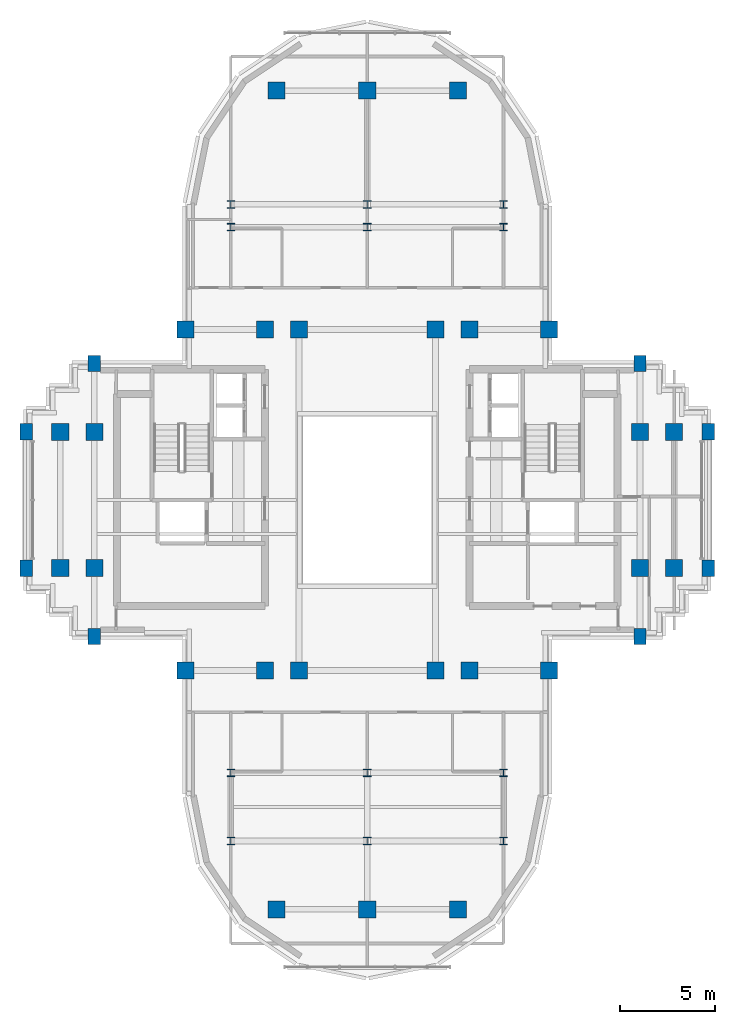
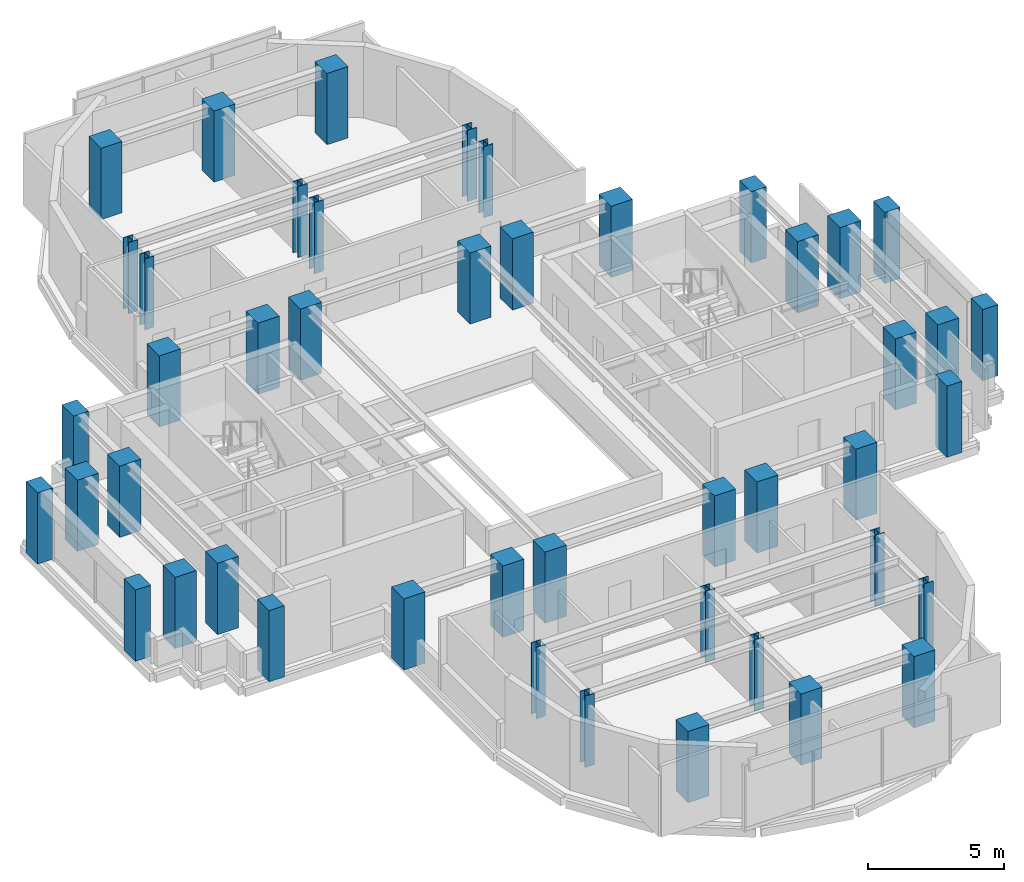
# One storey, part 1 of 11: 46 columns.
"""IFC4 building model written with IfcOpenShell, lengths in metres."""

from ifc_helpers import new_model, si_unit, direction, frame, origin, origin_2d, place, context, subcontext, project, spatial, rectangle, i_section, extrude, source, transform, mapped, material, material_profile, profile_set, type_object, element, save


model = new_model("IFC4")

# Units and contexts
model_context = context("Model", 3, precision=1e-05, world=origin(), true_north=direction((0.0, 1.0)))
body_context = subcontext(model_context, "Body", "Model", "MODEL_VIEW")
ifc_project = project(units=[si_unit("LENGTHUNIT", "METRE"), si_unit("AREAUNIT", "SQUARE_METRE"), si_unit("VOLUMEUNIT", "CUBIC_METRE"), si_unit("PLANEANGLEUNIT", "RADIAN"), si_unit("MASSUNIT", "GRAM", prefix="KILO")], contexts=[model_context])

# Site, building, storey
site_placement = place(None, origin())
site = spatial("IfcSite", under=ifc_project, at=site_placement, CompositionType="ELEMENT")
building_placement = place(site_placement, origin())
building = spatial("IfcBuilding", under=site, at=building_placement, Name="Keilestroom Media Tower", CompositionType="ELEMENT")
storey_placement = place(building_placement, frame((0.0, 0.0, 201.199951171875)))
storey = spatial("IfcBuildingStorey", under=building, at=storey_placement, Name="L55", CompositionType="ELEMENT", Elevation=201.199951171875)

# Columns
ifc_material_1 = material(Name="Precast concrete C40/50", Category="concrete")
ifc_material_profile_1 = material_profile(ifc_material_1, rectangle(XDim=0.64990234375, YDim=0.85009765625, at=origin_2d()), Name="PC 850x650")
ifc_profile_set_1 = profile_set([ifc_material_profile_1], Name="Precast concrete C40/50")
column_type_1 = type_object("IfcColumnType", Name="Structural-Column-PC-850x650", PredefinedType="COLUMN", material=ifc_profile_set_1)
shared_shape_1 = source(origin(), body_context, "Body", "SweptSolid", [
    extrude(rectangle(XDim=0.64990234375, YDim=0.85009765625, at=origin_2d()), origin(), (0.0, 0.0, 1.0), 3.199951171875),
])
for number, where, z_axis, x_axis, name in (
    (1, (-18.0, -3.60009765625, 0.0), (0.0, 0.0, 1.0), (1.0, 0.0, 0.0), "L55 Column PC-2 (-18.0,-3.6)"),
    (2, (-18.0, 3.60009765625, 0.0), (0.0, 0.0, 1.0), (1.0, 0.0, 0.0), "L55 Column PC-2 (-18.0,+3.6)"),
    (3, (-14.39990234375, -7.199951171875, 0.0), (0.0, 0.0, 1.0), (1.0, 0.0, 0.0), "L55 Column PC-2 (-14.4,-7.2)"),
    (4, (-14.39990234375, 7.199951171875, 0.0), (0.0, 0.0, 1.0), (1.0, 0.0, 0.0), "L55 Column PC-2 (-14.4,+7.2)"),
    (5, (14.39990234375, -7.199951171875, 0.0), (0.0, 0.0, 1.0), (1.0, 0.0, 0.0), "L55 Column PC-2 (+14.4,-7.2)"),
    (6, (14.39990234375, 7.199951171875, 0.0), (0.0, 0.0, 1.0), (1.0, 0.0, 0.0), "L55 Column PC-2 (+14.4,+7.2)"),
    (7, (18.0, -3.60009765625, 0.0), (0.0, 0.0, 1.0), (1.0, 0.0, 0.0), "L55 Column PC-2 (+18.0,-3.6)"),
    (8, (18.0, 3.60009765625, 0.0), (0.0, 0.0, 1.0), (1.0, 0.0, 0.0), "L55 Column PC-2 (+18.0,+3.6)"),
):
    element("IfcColumn", number, at=place(storey_placement, frame(where, z_axis=z_axis, x_axis=x_axis)), inside=storey, type_object=column_type_1, Name=name, PredefinedType="COLUMN", context=body_context, shape_type="MappedRepresentation", body=[
        mapped(shared_shape_1, transform((0.0, 0.0, 0.0), x_axis=(1.0, 0.0, 0.0), y_axis=(0.0, 1.0, 0.0), z_axis=(0.0, 0.0, 1.0), scale=1.0)),
    ])
ifc_material_2 = material(Name="Concrete C55/67", Category="concrete")
ifc_material_profile_2 = material_profile(ifc_material_2, rectangle(XDim=0.89990234375, YDim=0.89990234375, at=origin_2d()), Name="RC 900x900")
ifc_profile_set_2 = profile_set([ifc_material_profile_2], Name="Concrete C55/67")
column_type_2 = type_object("IfcColumnType", Name="Structural-Column-RC-900x900", PredefinedType="COLUMN", material=ifc_profile_set_2)
shared_shape_2 = source(origin(), body_context, "Body", "SweptSolid", [
    extrude(rectangle(XDim=0.89990234375, YDim=0.89990234375, at=origin_2d()), origin(), (0.0, 0.0, 1.0), 3.199951171875),
])
for number, where, z_axis, x_axis, name in (
    (9, (-16.199951171875, -3.60009765625, 0.0), (0.0, 0.0, 1.0), (1.0, 0.0, 0.0), "L55 Column MC-4 (-16.2,-3.6)"),
    (10, (-16.199951171875, 3.60009765625, 0.0), (0.0, 0.0, 1.0), (1.0, 0.0, 0.0), "L55 Column MC-4 (-16.2,+3.6)"),
    (11, (-14.39990234375, -3.60009765625, 0.0), (0.0, 0.0, 1.0), (1.0, 0.0, 0.0), "L55 Column MC-4 (-14.4,-3.6)"),
    (12, (-14.39990234375, 3.60009765625, 0.0), (0.0, 0.0, 1.0), (1.0, 0.0, 0.0), "L55 Column MC-4 (-14.4,+3.6)"),
    (13, (-9.60009765625, -9.0, 0.0), (0.0, 0.0, 1.0), (1.0, 0.0, 0.0), "L55 Column MC-4 (-9.6,-9.0)"),
    (14, (-9.60009765625, 9.0, 0.0), (0.0, 0.0, 1.0), (1.0, 0.0, 0.0), "L55 Column MC-4 (-9.6,+9.0)"),
    (15, (-5.39990234375, -9.0, 0.0), (0.0, 0.0, 1.0), (1.0, 0.0, 0.0), "L55 Column MC-4 (-5.4,-9.0)"),
    (16, (-5.39990234375, 9.0, 0.0), (0.0, 0.0, 1.0), (1.0, 0.0, 0.0), "L55 Column MC-4 (-5.4,+9.0)"),
    (17, (-4.800048828125, -21.60009765625, 0.0), (0.0, 0.0, 1.0), (1.0, 0.0, 0.0), "L55 Column MC-4 (-4.8,-21.6)"),
    (18, (-4.800048828125, 21.60009765625, 0.0), (0.0, 0.0, 1.0), (1.0, 0.0, 0.0), "L55 Column MC-4 (-4.8,+21.6)"),
    (19, (-3.60009765625, -9.0, 0.0), (0.0, 0.0, 1.0), (1.0, 0.0, 0.0), "L55 Column MC-4 (-3.6,-9.0)"),
    (20, (-3.60009765625, 9.0, 0.0), (0.0, 0.0, 1.0), (1.0, 0.0, 0.0), "L55 Column MC-4 (-3.6,+9.0)"),
    (21, (0.0, -21.60009765625, 0.0), (0.0, 0.0, 1.0), (1.0, 0.0, 0.0), "L55 Column MC-4 (+0.0,-21.6)"),
    (22, (0.0, 21.60009765625, 0.0), (0.0, 0.0, 1.0), (1.0, 0.0, 0.0), "L55 Column MC-4 (+0.0,+21.6)"),
    (23, (3.60009765625, -9.0, 0.0), (0.0, 0.0, 1.0), (1.0, 0.0, 0.0), "L55 Column MC-4 (+3.6,-9.0)"),
    (24, (3.60009765625, 9.0, 0.0), (0.0, 0.0, 1.0), (1.0, 0.0, 0.0), "L55 Column MC-4 (+3.6,+9.0)"),
    (25, (4.800048828125, -21.60009765625, 0.0), (0.0, 0.0, 1.0), (1.0, 0.0, 0.0), "L55 Column MC-4 (+4.8,-21.6)"),
    (26, (4.800048828125, 21.60009765625, 0.0), (0.0, 0.0, 1.0), (1.0, 0.0, 0.0), "L55 Column MC-4 (+4.8,+21.6)"),
    (27, (5.39990234375, -9.0, 0.0), (0.0, 0.0, 1.0), (1.0, 0.0, 0.0), "L55 Column MC-4 (+5.4,-9.0)"),
    (28, (5.39990234375, 9.0, 0.0), (0.0, 0.0, 1.0), (1.0, 0.0, 0.0), "L55 Column MC-4 (+5.4,+9.0)"),
    (29, (9.60009765625, -9.0, 0.0), (0.0, 0.0, 1.0), (1.0, 0.0, 0.0), "L55 Column MC-4 (+9.6,-9.0)"),
    (30, (9.60009765625, 9.0, 0.0), (0.0, 0.0, 1.0), (1.0, 0.0, 0.0), "L55 Column MC-4 (+9.6,+9.0)"),
    (31, (14.39990234375, -3.60009765625, 0.0), (0.0, 0.0, 1.0), (1.0, 0.0, 0.0), "L55 Column MC-4 (+14.4,-3.6)"),
    (32, (14.39990234375, 3.60009765625, 0.0), (0.0, 0.0, 1.0), (1.0, 0.0, 0.0), "L55 Column MC-4 (+14.4,+3.6)"),
    (33, (16.199951171875, -3.60009765625, 0.0), (0.0, 0.0, 1.0), (1.0, 0.0, 0.0), "L55 Column MC-4 (+16.2,-3.6)"),
    (34, (16.199951171875, 3.60009765625, 0.0), (0.0, 0.0, 1.0), (1.0, 0.0, 0.0), "L55 Column MC-4 (+16.2,+3.6)"),
):
    element("IfcColumn", number, at=place(storey_placement, frame(where, z_axis=z_axis, x_axis=x_axis)), inside=storey, type_object=column_type_2, Name=name, PredefinedType="COLUMN", context=body_context, shape_type="MappedRepresentation", body=[
        mapped(shared_shape_2, transform((0.0, 0.0, 0.0), x_axis=(1.0, 0.0, 0.0), y_axis=(0.0, 1.0, 0.0), z_axis=(0.0, 0.0, 1.0), scale=1.0)),
    ])
ifc_material_3 = material(Name="Steel S355", Category="steel")
ifc_material_profile_3 = material_profile(ifc_material_3, i_section(OverallWidth=0.39794921875, OverallDepth=0.386962890625, WebThickness=0.017578125, FlangeThickness=0.028076171875, at=origin_2d()), Name="HD 400x262")
ifc_profile_set_3 = profile_set([ifc_material_profile_3], Name="Steel S355")
column_type_3 = type_object("IfcColumnType", Name="Structural-Column-HD-400x262", PredefinedType="COLUMN", material=ifc_profile_set_3)
shared_shape_3 = source(origin(), body_context, "Body", "SweptSolid", [
    extrude(i_section(OverallWidth=0.39794921875, OverallDepth=0.386962890625, WebThickness=0.017578125, FlangeThickness=0.028076171875, at=origin_2d()), origin(), (0.0, 0.0, 1.0), 3.199951171875),
])
for number, where, z_axis, x_axis, name in (
    (35, (-7.199951171875, -18.0, 0.0), (0.0, 0.0, 1.0), (1.0, 0.0, 0.0), "L55 Column SC-4 (-7.2,-18.0)"),
    (36, (-7.199951171875, -14.39990234375, 0.0), (0.0, 0.0, 1.0), (1.0, 0.0, 0.0), "L55 Column SC-4 (-7.2,-14.4)"),
    (37, (-7.199951171875, 14.39990234375, 0.0), (0.0, 0.0, 1.0), (1.0, 0.0, 0.0), "L55 Column SC-4 (-7.2,+14.4)"),
    (38, (-7.199951171875, 15.60009765625, 0.0), (0.0, 0.0, 1.0), (1.0, 0.0, 0.0), "L55 Column SC-4 (-7.2,+15.6)"),
    (39, (0.0, -18.0, 0.0), (0.0, 0.0, 1.0), (1.0, 0.0, 0.0), "L55 Column SC-4 (+0.0,-18.0)"),
    (40, (0.0, -14.39990234375, 0.0), (0.0, 0.0, 1.0), (1.0, 0.0, 0.0), "L55 Column SC-4 (+0.0,-14.4)"),
    (41, (0.0, 14.39990234375, 0.0), (0.0, 0.0, 1.0), (1.0, 0.0, 0.0), "L55 Column SC-4 (+0.0,+14.4)"),
    (42, (0.0, 15.60009765625, 0.0), (0.0, 0.0, 1.0), (1.0, 0.0, 0.0), "L55 Column SC-4 (+0.0,+15.6)"),
    (43, (7.199951171875, -18.0, 0.0), (0.0, 0.0, 1.0), (1.0, 0.0, 0.0), "L55 Column SC-4 (+7.2,-18.0)"),
    (44, (7.199951171875, -14.39990234375, 0.0), (0.0, 0.0, 1.0), (1.0, 0.0, 0.0), "L55 Column SC-4 (+7.2,-14.4)"),
    (45, (7.199951171875, 14.39990234375, 0.0), (0.0, 0.0, 1.0), (1.0, 0.0, 0.0), "L55 Column SC-4 (+7.2,+14.4)"),
    (46, (7.199951171875, 15.60009765625, 0.0), (0.0, 0.0, 1.0), (1.0, 0.0, 0.0), "L55 Column SC-4 (+7.2,+15.6)"),
):
    element("IfcColumn", number, at=place(storey_placement, frame(where, z_axis=z_axis, x_axis=x_axis)), inside=storey, type_object=column_type_3, Name=name, PredefinedType="COLUMN", context=body_context, shape_type="MappedRepresentation", body=[
        mapped(shared_shape_3, transform((0.0, 0.0, 0.0), x_axis=(1.0, 0.0, 0.0), y_axis=(0.0, 1.0, 0.0), z_axis=(0.0, 0.0, 1.0), scale=1.0)),
    ])

save(model, "model.ifc")
